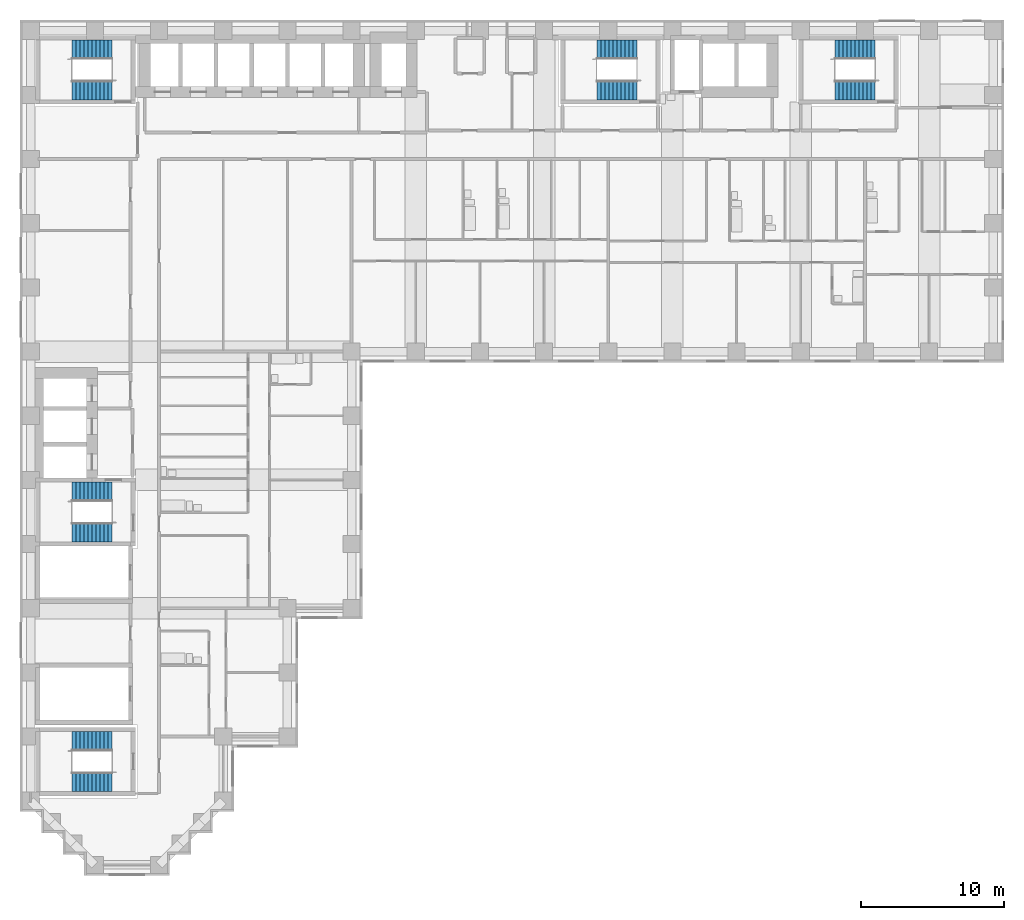
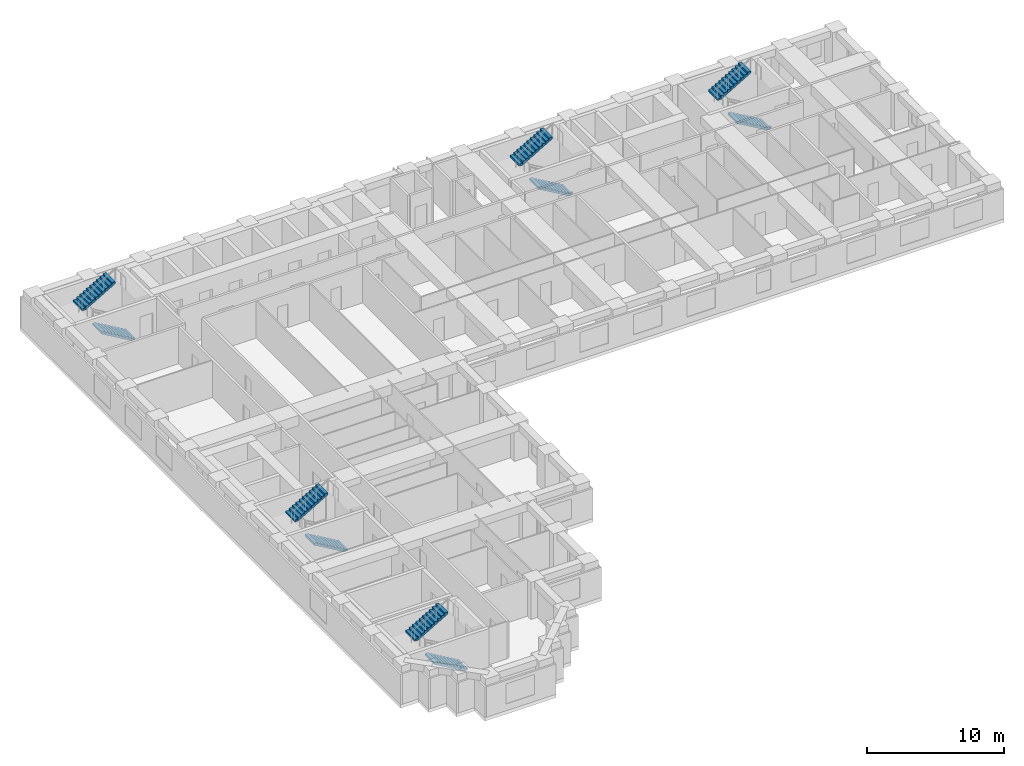
# One storey, part 10 of 12: 10 stair flights, 5 elements without a shape of their own.
"""IFC4 building model written with IfcOpenShell, lengths in metres."""

from ifc_helpers import new_model, si_unit, direction, frame, origin, place, context, subcontext, project, spatial, polyline, outline, extrude, material, type_object, element, aggregate, save


model = new_model("IFC4")

# Units and contexts
model_context = context("Model", 3, precision=1e-05, world=origin(), true_north=direction((0.0, 1.0)))
body_context = subcontext(model_context, "Body", "Model", "MODEL_VIEW")
ifc_project = project(units=[si_unit("LENGTHUNIT", "METRE"), si_unit("AREAUNIT", "SQUARE_METRE"), si_unit("VOLUMEUNIT", "CUBIC_METRE"), si_unit("PLANEANGLEUNIT", "RADIAN"), si_unit("MASSUNIT", "GRAM", prefix="KILO")], contexts=[model_context])

# Site, building, storey
site_placement = place(None, origin())
site = spatial("IfcSite", under=ifc_project, at=site_placement, CompositionType="ELEMENT")
building_placement = place(site_placement, origin())
building = spatial("IfcBuilding", under=site, at=building_placement, Name="Firuza Court", CompositionType="ELEMENT")
storey_placement = place(building_placement, frame((0.0, 0.0, 97.39990234375)))
storey = spatial("IfcBuildingStorey", under=building, at=storey_placement, Name="L24", CompositionType="ELEMENT", Elevation=97.39990234375)

# Stair, stair flights
ifc_material_1 = material(Name="Concrete C40/50 precast", Category="concrete")
stair_type = type_object("IfcStairType", Name="Stair 1350 x 3600 2 flights", PredefinedType="HALF_TURN_STAIR", material=ifc_material_1)
stair_1_placement = place(storey_placement, origin())
stair_1 = element("IfcStair", 1, at=stair_1_placement, inside=storey, type_object=stair_type, Name="Stair 1 L24", PredefinedType="HALF_TURN_STAIR")
ifc_material_2 = material(Name="Concrete C40/50 precast", Category="concrete")
stair_flight_type = type_object("IfcStairFlightType", Name="Flight 1350 riser 163.6", PredefinedType="STRAIGHT", material=ifc_material_2)
stair_flight_1_placement = place(storey_placement, frame((42.5, 54.324951171875, 0.0), z_axis=(0.0, 0.0, 1.0), x_axis=(-1.0, 0.0, 0.0)))
stair_flight_1 = element("IfcStairFlight", 2, at=stair_flight_1_placement, type_object=stair_flight_type, Name="S1 flight 1", NumberOfRisers=11, NumberOfTreads=10, PredefinedType="STRAIGHT", RiserHeight=0.163636364, TreadLength=0.28, context=body_context, shape_type="SweptSolid", body=[
    extrude(outline(polyline([(0.0, 0.0), (0.0, 0.16357421875), (0.280029296875, 0.16357421875), (0.280029296875, 0.327392578125), (0.56005859375, 0.327392578125), (0.56005859375, 0.490966796875), (0.840087890625, 0.490966796875), (0.840087890625, 0.654541015625), (1.1201171875, 0.654541015625), (1.1201171875, 0.818115234375), (1.39990234375, 0.818115234375), (1.39990234375, 0.98193359375), (1.679931640625, 0.98193359375), (1.679931640625, 1.1455078125), (1.9599609375, 1.1455078125), (1.9599609375, 1.30908203125), (2.239990234375, 1.30908203125), (2.239990234375, 1.47265625), (2.52001953125, 1.47265625), (2.52001953125, 1.636474609375), (2.800048828125, 1.636474609375), (2.800048828125, 1.800048828125), (2.800048828125, 1.462646484375), (0.297119140625, 0.0), (0.0, 0.0)])), frame((0.0, 0.675048828125, 0.0), z_axis=(0.0, -1.0, 0.0), x_axis=(1.0, 0.0, 0.0)), (0.0, 0.0, 1.0), 1.35009765625),
])
stair_flight_2_placement = place(storey_placement, frame((39.699951171875, 57.175048828125, 1.800048828125), z_axis=(0.0, 0.0, 1.0), x_axis=(1.0, 0.0, 0.0)))
stair_flight_2 = element("IfcStairFlight", 3, at=stair_flight_2_placement, type_object=stair_flight_type, Name="S1 flight 2", NumberOfRisers=11, NumberOfTreads=10, PredefinedType="STRAIGHT", RiserHeight=0.163636364, TreadLength=0.28, context=body_context, shape_type="SweptSolid", body=[
    extrude(outline(polyline([(0.0, 0.0), (0.0, 0.16357421875), (0.280029296875, 0.16357421875), (0.280029296875, 0.327392578125), (0.56005859375, 0.327392578125), (0.56005859375, 0.490966796875), (0.840087890625, 0.490966796875), (0.840087890625, 0.654541015625), (1.1201171875, 0.654541015625), (1.1201171875, 0.818115234375), (1.39990234375, 0.818115234375), (1.39990234375, 0.98193359375), (1.679931640625, 0.98193359375), (1.679931640625, 1.1455078125), (1.9599609375, 1.1455078125), (1.9599609375, 1.30908203125), (2.239990234375, 1.30908203125), (2.239990234375, 1.47265625), (2.52001953125, 1.47265625), (2.52001953125, 1.636474609375), (2.800048828125, 1.636474609375), (2.800048828125, 1.800048828125), (2.800048828125, 1.462646484375), (0.297119140625, 0.0), (0.0, 0.0)])), frame((0.0, 0.675048828125, 0.0), z_axis=(0.0, -1.0, 0.0), x_axis=(1.0, 0.0, 0.0)), (0.0, 0.0, 1.0), 1.35009765625),
])
aggregate(stair_1, [stair_flight_1, stair_flight_2])

stair_2_placement = place(storey_placement, origin())
stair_2 = element("IfcStair", 4, at=stair_2_placement, inside=storey, type_object=stair_type, Name="Stair 2 L24", PredefinedType="HALF_TURN_STAIR")
stair_flight_3_placement = place(storey_placement, frame((5.699951171875, 23.324951171875, 0.0), z_axis=(0.0, 0.0, 1.0), x_axis=(-1.0, 0.0, 0.0)))
stair_flight_3 = element("IfcStairFlight", 5, at=stair_flight_3_placement, type_object=stair_flight_type, Name="S2 flight 1", NumberOfRisers=11, NumberOfTreads=10, PredefinedType="STRAIGHT", RiserHeight=0.163636364, TreadLength=0.28, context=body_context, shape_type="SweptSolid", body=[
    extrude(outline(polyline([(0.0, 0.0), (0.0, 0.16357421875), (0.280029296875, 0.16357421875), (0.280029296875, 0.327392578125), (0.56005859375, 0.327392578125), (0.56005859375, 0.490966796875), (0.840087890625, 0.490966796875), (0.840087890625, 0.654541015625), (1.1201171875, 0.654541015625), (1.1201171875, 0.818115234375), (1.39990234375, 0.818115234375), (1.39990234375, 0.98193359375), (1.679931640625, 0.98193359375), (1.679931640625, 1.1455078125), (1.9599609375, 1.1455078125), (1.9599609375, 1.30908203125), (2.239990234375, 1.30908203125), (2.239990234375, 1.47265625), (2.52001953125, 1.47265625), (2.52001953125, 1.636474609375), (2.800048828125, 1.636474609375), (2.800048828125, 1.800048828125), (2.800048828125, 1.462646484375), (0.297119140625, 0.0), (0.0, 0.0)])), frame((0.0, 0.675048828125, 0.0), z_axis=(0.0, -1.0, 0.0), x_axis=(1.0, 0.0, 0.0)), (0.0, 0.0, 1.0), 1.35009765625),
])
stair_flight_4_placement = place(storey_placement, frame((2.89990234375, 26.175048828125, 1.800048828125), z_axis=(0.0, 0.0, 1.0), x_axis=(1.0, 0.0, 0.0)))
stair_flight_4 = element("IfcStairFlight", 6, at=stair_flight_4_placement, type_object=stair_flight_type, Name="S2 flight 2", NumberOfRisers=11, NumberOfTreads=10, PredefinedType="STRAIGHT", RiserHeight=0.163636364, TreadLength=0.28, context=body_context, shape_type="SweptSolid", body=[
    extrude(outline(polyline([(0.0, 0.0), (0.0, 0.16357421875), (0.280029296875, 0.16357421875), (0.280029296875, 0.327392578125), (0.56005859375, 0.327392578125), (0.56005859375, 0.490966796875), (0.840087890625, 0.490966796875), (0.840087890625, 0.654541015625), (1.1201171875, 0.654541015625), (1.1201171875, 0.818115234375), (1.39990234375, 0.818115234375), (1.39990234375, 0.98193359375), (1.679931640625, 0.98193359375), (1.679931640625, 1.1455078125), (1.9599609375, 1.1455078125), (1.9599609375, 1.30908203125), (2.239990234375, 1.30908203125), (2.239990234375, 1.47265625), (2.52001953125, 1.47265625), (2.52001953125, 1.636474609375), (2.800048828125, 1.636474609375), (2.800048828125, 1.800048828125), (2.800048828125, 1.462646484375), (0.297119140625, 0.0), (0.0, 0.0)])), frame((0.0, 0.675048828125, 0.0), z_axis=(0.0, -1.0, 0.0), x_axis=(1.0, 0.0, 0.0)), (0.0, 0.0, 1.0), 1.35009765625),
])
aggregate(stair_2, [stair_flight_3, stair_flight_4])

stair_3_placement = place(storey_placement, origin())
stair_3 = element("IfcStair", 7, at=stair_3_placement, inside=storey, type_object=stair_type, Name="Stair 3 L24", PredefinedType="HALF_TURN_STAIR")
stair_flight_5_placement = place(storey_placement, frame((5.699951171875, 54.324951171875, 0.0), z_axis=(0.0, 0.0, 1.0), x_axis=(-1.0, 0.0, 0.0)))
stair_flight_5 = element("IfcStairFlight", 8, at=stair_flight_5_placement, type_object=stair_flight_type, Name="S3 flight 1", NumberOfRisers=11, NumberOfTreads=10, PredefinedType="STRAIGHT", RiserHeight=0.163636364, TreadLength=0.28, context=body_context, shape_type="SweptSolid", body=[
    extrude(outline(polyline([(0.0, 0.0), (0.0, 0.16357421875), (0.280029296875, 0.16357421875), (0.280029296875, 0.327392578125), (0.56005859375, 0.327392578125), (0.56005859375, 0.490966796875), (0.840087890625, 0.490966796875), (0.840087890625, 0.654541015625), (1.1201171875, 0.654541015625), (1.1201171875, 0.818115234375), (1.39990234375, 0.818115234375), (1.39990234375, 0.98193359375), (1.679931640625, 0.98193359375), (1.679931640625, 1.1455078125), (1.9599609375, 1.1455078125), (1.9599609375, 1.30908203125), (2.239990234375, 1.30908203125), (2.239990234375, 1.47265625), (2.52001953125, 1.47265625), (2.52001953125, 1.636474609375), (2.800048828125, 1.636474609375), (2.800048828125, 1.800048828125), (2.800048828125, 1.462646484375), (0.297119140625, 0.0), (0.0, 0.0)])), frame((0.0, 0.675048828125, 0.0), z_axis=(0.0, -1.0, 0.0), x_axis=(1.0, 0.0, 0.0)), (0.0, 0.0, 1.0), 1.35009765625),
])
stair_flight_6_placement = place(storey_placement, frame((2.89990234375, 57.175048828125, 1.800048828125), z_axis=(0.0, 0.0, 1.0), x_axis=(1.0, 0.0, 0.0)))
stair_flight_6 = element("IfcStairFlight", 9, at=stair_flight_6_placement, type_object=stair_flight_type, Name="S3 flight 2", NumberOfRisers=11, NumberOfTreads=10, PredefinedType="STRAIGHT", RiserHeight=0.163636364, TreadLength=0.28, context=body_context, shape_type="SweptSolid", body=[
    extrude(outline(polyline([(0.0, 0.0), (0.0, 0.16357421875), (0.280029296875, 0.16357421875), (0.280029296875, 0.327392578125), (0.56005859375, 0.327392578125), (0.56005859375, 0.490966796875), (0.840087890625, 0.490966796875), (0.840087890625, 0.654541015625), (1.1201171875, 0.654541015625), (1.1201171875, 0.818115234375), (1.39990234375, 0.818115234375), (1.39990234375, 0.98193359375), (1.679931640625, 0.98193359375), (1.679931640625, 1.1455078125), (1.9599609375, 1.1455078125), (1.9599609375, 1.30908203125), (2.239990234375, 1.30908203125), (2.239990234375, 1.47265625), (2.52001953125, 1.47265625), (2.52001953125, 1.636474609375), (2.800048828125, 1.636474609375), (2.800048828125, 1.800048828125), (2.800048828125, 1.462646484375), (0.297119140625, 0.0), (0.0, 0.0)])), frame((0.0, 0.675048828125, 0.0), z_axis=(0.0, -1.0, 0.0), x_axis=(1.0, 0.0, 0.0)), (0.0, 0.0, 1.0), 1.35009765625),
])
aggregate(stair_3, [stair_flight_5, stair_flight_6])

stair_4_placement = place(storey_placement, origin())
stair_4 = element("IfcStair", 10, at=stair_4_placement, inside=storey, type_object=stair_type, Name="Stair 4 L24", PredefinedType="HALF_TURN_STAIR")
stair_flight_7_placement = place(storey_placement, frame((59.199951171875, 54.324951171875, 0.0), z_axis=(0.0, 0.0, 1.0), x_axis=(-1.0, 0.0, 0.0)))
stair_flight_7 = element("IfcStairFlight", 11, at=stair_flight_7_placement, type_object=stair_flight_type, Name="S4 flight 1", NumberOfRisers=11, NumberOfTreads=10, PredefinedType="STRAIGHT", RiserHeight=0.163636364, TreadLength=0.28, context=body_context, shape_type="SweptSolid", body=[
    extrude(outline(polyline([(0.0, 0.0), (0.0, 0.16357421875), (0.280029296875, 0.16357421875), (0.280029296875, 0.327392578125), (0.56005859375, 0.327392578125), (0.56005859375, 0.490966796875), (0.840087890625, 0.490966796875), (0.840087890625, 0.654541015625), (1.1201171875, 0.654541015625), (1.1201171875, 0.818115234375), (1.39990234375, 0.818115234375), (1.39990234375, 0.98193359375), (1.679931640625, 0.98193359375), (1.679931640625, 1.1455078125), (1.9599609375, 1.1455078125), (1.9599609375, 1.30908203125), (2.239990234375, 1.30908203125), (2.239990234375, 1.47265625), (2.52001953125, 1.47265625), (2.52001953125, 1.636474609375), (2.800048828125, 1.636474609375), (2.800048828125, 1.800048828125), (2.800048828125, 1.462646484375), (0.297119140625, 0.0), (0.0, 0.0)])), frame((0.0, 0.675048828125, 0.0), z_axis=(0.0, -1.0, 0.0), x_axis=(1.0, 0.0, 0.0)), (0.0, 0.0, 1.0), 1.35009765625),
])
stair_flight_8_placement = place(storey_placement, frame((56.39990234375, 57.175048828125, 1.800048828125), z_axis=(0.0, 0.0, 1.0), x_axis=(1.0, 0.0, 0.0)))
stair_flight_8 = element("IfcStairFlight", 12, at=stair_flight_8_placement, type_object=stair_flight_type, Name="S4 flight 2", NumberOfRisers=11, NumberOfTreads=10, PredefinedType="STRAIGHT", RiserHeight=0.163636364, TreadLength=0.28, context=body_context, shape_type="SweptSolid", body=[
    extrude(outline(polyline([(0.0, 0.0), (0.0, 0.16357421875), (0.280029296875, 0.16357421875), (0.280029296875, 0.327392578125), (0.56005859375, 0.327392578125), (0.56005859375, 0.490966796875), (0.840087890625, 0.490966796875), (0.840087890625, 0.654541015625), (1.1201171875, 0.654541015625), (1.1201171875, 0.818115234375), (1.39990234375, 0.818115234375), (1.39990234375, 0.98193359375), (1.679931640625, 0.98193359375), (1.679931640625, 1.1455078125), (1.9599609375, 1.1455078125), (1.9599609375, 1.30908203125), (2.239990234375, 1.30908203125), (2.239990234375, 1.47265625), (2.52001953125, 1.47265625), (2.52001953125, 1.636474609375), (2.800048828125, 1.636474609375), (2.800048828125, 1.800048828125), (2.800048828125, 1.462646484375), (0.297119140625, 0.0), (0.0, 0.0)])), frame((0.0, 0.675048828125, 0.0), z_axis=(0.0, -1.0, 0.0), x_axis=(1.0, 0.0, 0.0)), (0.0, 0.0, 1.0), 1.35009765625),
])
aggregate(stair_4, [stair_flight_7, stair_flight_8])

stair_5_placement = place(storey_placement, origin())
stair_5 = element("IfcStair", 13, at=stair_5_placement, inside=storey, type_object=stair_type, Name="Stair 5 L24", PredefinedType="HALF_TURN_STAIR")
stair_flight_9_placement = place(storey_placement, frame((5.699951171875, 5.824951171875, 0.0), z_axis=(0.0, 0.0, 1.0), x_axis=(-1.0, 0.0, 0.0)))
stair_flight_9 = element("IfcStairFlight", 14, at=stair_flight_9_placement, type_object=stair_flight_type, Name="S5 flight 1", NumberOfRisers=11, NumberOfTreads=10, PredefinedType="STRAIGHT", RiserHeight=0.163636364, TreadLength=0.28, context=body_context, shape_type="SweptSolid", body=[
    extrude(outline(polyline([(0.0, 0.0), (0.0, 0.16357421875), (0.280029296875, 0.16357421875), (0.280029296875, 0.327392578125), (0.56005859375, 0.327392578125), (0.56005859375, 0.490966796875), (0.840087890625, 0.490966796875), (0.840087890625, 0.654541015625), (1.1201171875, 0.654541015625), (1.1201171875, 0.818115234375), (1.39990234375, 0.818115234375), (1.39990234375, 0.98193359375), (1.679931640625, 0.98193359375), (1.679931640625, 1.1455078125), (1.9599609375, 1.1455078125), (1.9599609375, 1.30908203125), (2.239990234375, 1.30908203125), (2.239990234375, 1.47265625), (2.52001953125, 1.47265625), (2.52001953125, 1.636474609375), (2.800048828125, 1.636474609375), (2.800048828125, 1.800048828125), (2.800048828125, 1.462646484375), (0.297119140625, 0.0), (0.0, 0.0)])), frame((0.0, 0.675048828125, 0.0), z_axis=(0.0, -1.0, 0.0), x_axis=(1.0, 0.0, 0.0)), (0.0, 0.0, 1.0), 1.35009765625),
])
stair_flight_10_placement = place(storey_placement, frame((2.89990234375, 8.675048828125, 1.800048828125), z_axis=(0.0, 0.0, 1.0), x_axis=(1.0, 0.0, 0.0)))
stair_flight_10 = element("IfcStairFlight", 15, at=stair_flight_10_placement, type_object=stair_flight_type, Name="S5 flight 2", NumberOfRisers=11, NumberOfTreads=10, PredefinedType="STRAIGHT", RiserHeight=0.163636364, TreadLength=0.28, context=body_context, shape_type="SweptSolid", body=[
    extrude(outline(polyline([(0.0, 0.0), (0.0, 0.16357421875), (0.280029296875, 0.16357421875), (0.280029296875, 0.327392578125), (0.56005859375, 0.327392578125), (0.56005859375, 0.490966796875), (0.840087890625, 0.490966796875), (0.840087890625, 0.654541015625), (1.1201171875, 0.654541015625), (1.1201171875, 0.818115234375), (1.39990234375, 0.818115234375), (1.39990234375, 0.98193359375), (1.679931640625, 0.98193359375), (1.679931640625, 1.1455078125), (1.9599609375, 1.1455078125), (1.9599609375, 1.30908203125), (2.239990234375, 1.30908203125), (2.239990234375, 1.47265625), (2.52001953125, 1.47265625), (2.52001953125, 1.636474609375), (2.800048828125, 1.636474609375), (2.800048828125, 1.800048828125), (2.800048828125, 1.462646484375), (0.297119140625, 0.0), (0.0, 0.0)])), frame((0.0, 0.675048828125, 0.0), z_axis=(0.0, -1.0, 0.0), x_axis=(1.0, 0.0, 0.0)), (0.0, 0.0, 1.0), 1.35009765625),
])
aggregate(stair_5, [stair_flight_9, stair_flight_10])

save(model, "model.ifc")
